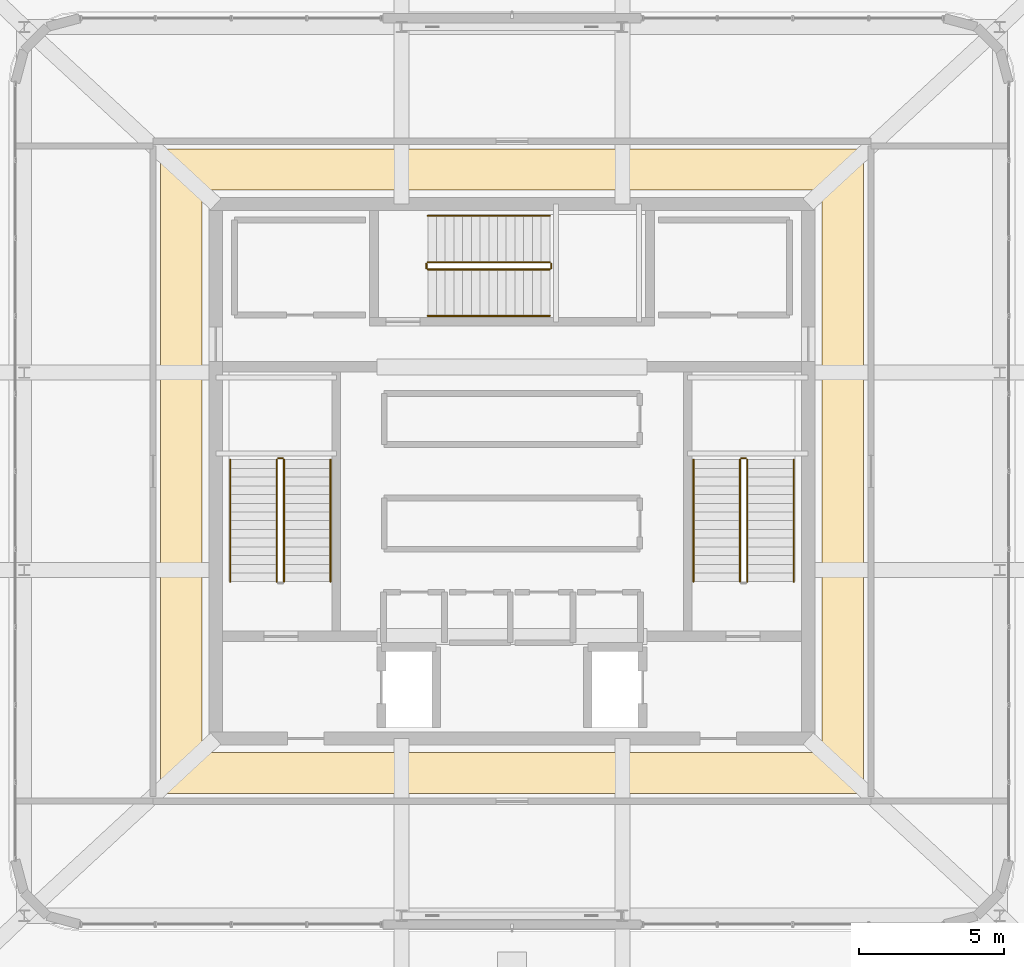
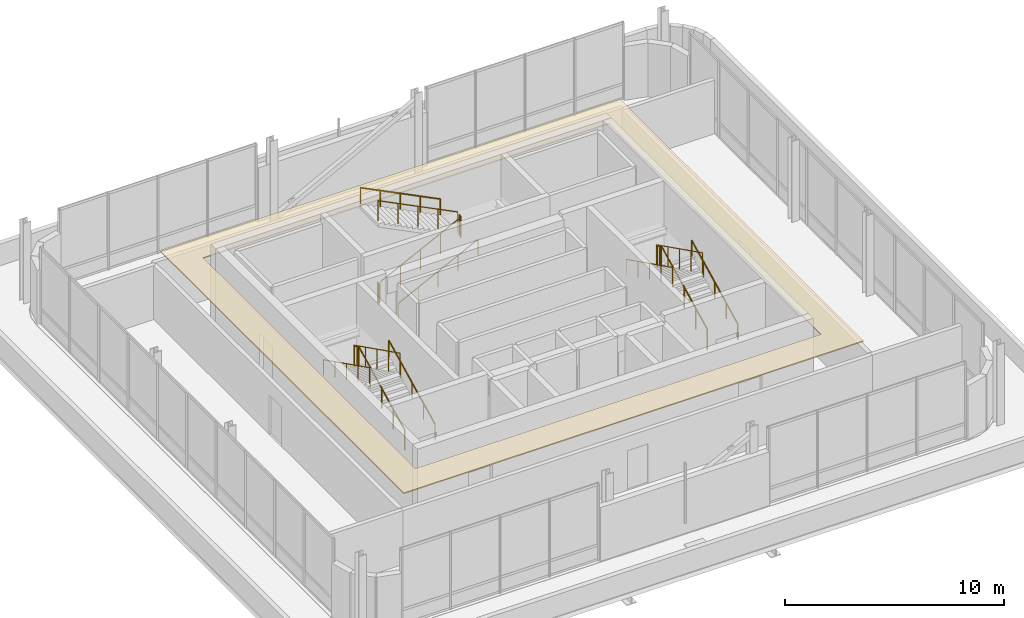
# One storey, part 27 of 28: 16 railings, 1 covering.
"""IFC4 building model written with IfcOpenShell, lengths in metres."""

from ifc_helpers import new_model, si_unit, direction, frame, origin, origin_2d, place, context, subcontext, project, spatial, polyline, circle, outline, extrude, material, layer, layer_set, type_object, element, save


model = new_model("IFC4")

# Units and contexts
model_context = context("Model", 3, precision=1e-05, world=origin(), true_north=direction((0.0, 1.0)))
body_context = subcontext(model_context, "Body", "Model", "MODEL_VIEW")
ifc_project = project(units=[si_unit("LENGTHUNIT", "METRE"), si_unit("AREAUNIT", "SQUARE_METRE"), si_unit("VOLUMEUNIT", "CUBIC_METRE"), si_unit("PLANEANGLEUNIT", "RADIAN"), si_unit("MASSUNIT", "GRAM", prefix="KILO")], contexts=[model_context])

# Site, building, storey
site_placement = place(None, origin())
site = spatial("IfcSite", under=ifc_project, at=site_placement, CompositionType="ELEMENT")
building_placement = place(site_placement, origin())
building = spatial("IfcBuilding", under=site, at=building_placement, Name="Punatoya Terracotta Tower", CompositionType="ELEMENT")
storey_placement = place(building_placement, frame((0.0, 0.0, 352.800048828125)))
storey = spatial("IfcBuildingStorey", under=building, at=storey_placement, Name="L83", CompositionType="ELEMENT", Elevation=352.800048828125)

# Covering
ifc_material_1 = material(Name="Acoustic Mineral Fibre Ceiling")
ifc_layer = layer(ifc_material_1, 0.06005859375)
ifc_layer_set = layer_set([ifc_layer], Name="Acoustic Mineral Fibre Ceiling")
covering_type = type_object("IfcCoveringType", Name="COV-CEIL-60", PredefinedType="CEILING", material=ifc_layer_set)
covering_placement = place(storey_placement, frame((0.0, 0.0, 3.60986328125)))
element("IfcCovering", 1, at=covering_placement, inside=storey, type_object=covering_type, Name="L83 Baradari Crown Plant Ring Corridor Acoustic Ceiling", PredefinedType="CEILING", context=body_context, shape_type="SweptSolid", body=[
    extrude(outline(polyline([(-12.10009765625, 11.10009765625), (-12.10009765625, -11.10009765625), (12.10009765625, -11.10009765625), (12.10009765625, 11.10009765625), (-12.10009765625, 11.10009765625)]), holes=[polyline([(-10.679931640625, 9.679931640625), (10.679931640625, 9.679931640625), (10.679931640625, -9.679931640625), (-10.679931640625, -9.679931640625), (-10.679931640625, 9.679931640625)])]), origin(), (0.0, 0.0, 1.0), 0.06005859375),
])

# Railings
ifc_material_2 = material(Name="Steel S355", Category="steel")
railing_type_1 = type_object("IfcRailingType", Name="RLG-GRD-1150", PredefinedType="GUARDRAIL", material=ifc_material_2)
railing_1_placement = place(storey_placement, frame((-7.85009765625, -3.800048828125, 0.14990234375)))
element("IfcRailing", 2, at=railing_1_placement, inside=storey, type_object=railing_type_1, Name="L83 ST-1 stair guard 1", PredefinedType="GUARDRAIL", context=body_context, shape_type="SweptSolid", body=[
    extrude(circle(Radius=0.02392578125, at=origin_2d()), frame((0.0, 0.0, 1.1259765625), z_axis=(0.0, 0.894416792377, 0.447234392142), x_axis=(-1.0, 0.0, 0.0)), (0.0, 0.0, 1.0), 4.69580078125),
    extrude(circle(Radius=0.02099609375, at=origin_2d()), origin(), (0.0, 0.0, 1.0), 1.101806640625),
    extrude(circle(Radius=0.02099609375, at=origin_2d()), frame((0.0, 1.050048828125, 0.52490234375)), (0.0, 0.0, 1.0), 1.101806640625),
    extrude(circle(Radius=0.02099609375, at=origin_2d()), frame((0.0, 2.10009765625, 1.050048828125)), (0.0, 0.0, 1.0), 1.101806640625),
    extrude(circle(Radius=0.02099609375, at=origin_2d()), frame((0.0, 3.14990234375, 1.5751953125)), (0.0, 0.0, 1.0), 1.101806640625),
    extrude(circle(Radius=0.02099609375, at=origin_2d()), frame((0.0, 4.199951171875, 2.10009765625)), (0.0, 0.0, 1.0), 1.101806640625),
])
railing_2_placement = place(storey_placement, frame((-7.89990234375, 0.449951171875, 2.25)))
element("IfcRailing", 3, at=railing_2_placement, inside=storey, type_object=railing_type_1, Name="L83 ST-1 stair guard 2", PredefinedType="GUARDRAIL", context=body_context, shape_type="SweptSolid", body=[
    extrude(circle(Radius=0.02392578125, at=origin_2d()), frame((0.0, 0.0, 1.1259765625), z_axis=(-1.0, 0.0, 0.0), x_axis=(0.0, -1.0, 0.0)), (0.0, 0.0, 1.0), 0.150146484375),
    extrude(circle(Radius=0.02099609375, at=origin_2d()), origin(), (0.0, 0.0, 1.0), 1.101806640625),
    extrude(circle(Radius=0.02099609375, at=origin_2d()), frame((-0.150146484375, 0.0, 0.0)), (0.0, 0.0, 1.0), 1.101806640625),
])
railing_3_placement = place(storey_placement, frame((-8.10009765625, 0.39990234375, 2.39990234375)))
element("IfcRailing", 4, at=railing_3_placement, inside=storey, type_object=railing_type_1, Name="L83 ST-1 stair guard 3", PredefinedType="GUARDRAIL", context=body_context, shape_type="SweptSolid", body=[
    extrude(circle(Radius=0.02392578125, at=origin_2d()), frame((0.0, 0.0, 1.1259765625), z_axis=(0.0, -0.894416792377, 0.447234392142), x_axis=(1.0, 0.0, 0.0)), (0.0, 0.0, 1.0), 4.69580078125),
    extrude(circle(Radius=0.02099609375, at=origin_2d()), origin(), (0.0, 0.0, 1.0), 1.101806640625),
    extrude(circle(Radius=0.02099609375, at=origin_2d()), frame((0.0, -1.050048828125, 0.52490234375)), (0.0, 0.0, 1.0), 1.101806640625),
    extrude(circle(Radius=0.02099609375, at=origin_2d()), frame((0.0, -2.10009765625, 1.050048828125)), (0.0, 0.0, 1.0), 1.101806640625),
    extrude(circle(Radius=0.02099609375, at=origin_2d()), frame((0.0, -3.14990234375, 1.5751953125)), (0.0, 0.0, 1.0), 1.101806640625),
    extrude(circle(Radius=0.02099609375, at=origin_2d()), frame((0.0, -4.199951171875, 2.10009765625)), (0.0, 0.0, 1.0), 1.101806640625),
])
railing_4_placement = place(storey_placement, frame((8.10009765625, -3.800048828125, 0.14990234375)))
element("IfcRailing", 5, at=railing_4_placement, inside=storey, type_object=railing_type_1, Name="L83 ST-2 stair guard 1", PredefinedType="GUARDRAIL", context=body_context, shape_type="SweptSolid", body=[
    extrude(circle(Radius=0.02392578125, at=origin_2d()), frame((0.0, 0.0, 1.1259765625), z_axis=(0.0, 0.894416792377, 0.447234392142), x_axis=(-1.0, 0.0, 0.0)), (0.0, 0.0, 1.0), 4.69580078125),
    extrude(circle(Radius=0.02099609375, at=origin_2d()), origin(), (0.0, 0.0, 1.0), 1.101806640625),
    extrude(circle(Radius=0.02099609375, at=origin_2d()), frame((0.0, 1.050048828125, 0.52490234375)), (0.0, 0.0, 1.0), 1.101806640625),
    extrude(circle(Radius=0.02099609375, at=origin_2d()), frame((0.0, 2.10009765625, 1.050048828125)), (0.0, 0.0, 1.0), 1.101806640625),
    extrude(circle(Radius=0.02099609375, at=origin_2d()), frame((0.0, 3.14990234375, 1.5751953125)), (0.0, 0.0, 1.0), 1.101806640625),
    extrude(circle(Radius=0.02099609375, at=origin_2d()), frame((0.0, 4.199951171875, 2.10009765625)), (0.0, 0.0, 1.0), 1.101806640625),
])
railing_5_placement = place(storey_placement, frame((8.050048828125, 0.449951171875, 2.25)))
element("IfcRailing", 6, at=railing_5_placement, inside=storey, type_object=railing_type_1, Name="L83 ST-2 stair guard 2", PredefinedType="GUARDRAIL", context=body_context, shape_type="SweptSolid", body=[
    extrude(circle(Radius=0.02392578125, at=origin_2d()), frame((0.0, 0.0, 1.1259765625), z_axis=(-1.0, 0.0, 0.0), x_axis=(0.0, -1.0, 0.0)), (0.0, 0.0, 1.0), 0.150146484375),
    extrude(circle(Radius=0.02099609375, at=origin_2d()), origin(), (0.0, 0.0, 1.0), 1.101806640625),
    extrude(circle(Radius=0.02099609375, at=origin_2d()), frame((-0.150146484375, 0.0, 0.0)), (0.0, 0.0, 1.0), 1.101806640625),
])
railing_6_placement = place(storey_placement, frame((7.85009765625, 0.39990234375, 2.39990234375)))
element("IfcRailing", 7, at=railing_6_placement, inside=storey, type_object=railing_type_1, Name="L83 ST-2 stair guard 3", PredefinedType="GUARDRAIL", context=body_context, shape_type="SweptSolid", body=[
    extrude(circle(Radius=0.02392578125, at=origin_2d()), frame((0.0, 0.0, 1.1259765625), z_axis=(0.0, -0.894416792377, 0.447234392142), x_axis=(1.0, 0.0, 0.0)), (0.0, 0.0, 1.0), 4.69580078125),
    extrude(circle(Radius=0.02099609375, at=origin_2d()), origin(), (0.0, 0.0, 1.0), 1.101806640625),
    extrude(circle(Radius=0.02099609375, at=origin_2d()), frame((0.0, -1.050048828125, 0.52490234375)), (0.0, 0.0, 1.0), 1.101806640625),
    extrude(circle(Radius=0.02099609375, at=origin_2d()), frame((0.0, -2.10009765625, 1.050048828125)), (0.0, 0.0, 1.0), 1.101806640625),
    extrude(circle(Radius=0.02099609375, at=origin_2d()), frame((0.0, -3.14990234375, 1.5751953125)), (0.0, 0.0, 1.0), 1.101806640625),
    extrude(circle(Radius=0.02099609375, at=origin_2d()), frame((0.0, -4.199951171875, 2.10009765625)), (0.0, 0.0, 1.0), 1.101806640625),
])
railing_7_placement = place(storey_placement, frame((-2.89990234375, 6.949951171875, 0.14990234375)))
element("IfcRailing", 8, at=railing_7_placement, inside=storey, type_object=railing_type_1, Name="L83 ST-3 stair guard 1", PredefinedType="GUARDRAIL", context=body_context, shape_type="SweptSolid", body=[
    extrude(circle(Radius=0.02392578125, at=origin_2d()), frame((0.0, 0.0, 1.1259765625), z_axis=(0.894416792377, 0.0, 0.447234392142), x_axis=(0.0, 1.0, 0.0)), (0.0, 0.0, 1.0), 4.69580078125),
    extrude(circle(Radius=0.02099609375, at=origin_2d()), origin(), (0.0, 0.0, 1.0), 1.101806640625),
    extrude(circle(Radius=0.02099609375, at=origin_2d()), frame((1.050048828125, 0.0, 0.52490234375)), (0.0, 0.0, 1.0), 1.101806640625),
    extrude(circle(Radius=0.02099609375, at=origin_2d()), frame((2.10009765625, 0.0, 1.050048828125)), (0.0, 0.0, 1.0), 1.101806640625),
    extrude(circle(Radius=0.02099609375, at=origin_2d()), frame((3.14990234375, 0.0, 1.5751953125)), (0.0, 0.0, 1.0), 1.101806640625),
    extrude(circle(Radius=0.02099609375, at=origin_2d()), frame((4.199951171875, 0.0, 2.10009765625)), (0.0, 0.0, 1.0), 1.101806640625),
])
railing_8_placement = place(storey_placement, frame((1.35009765625, 7.0, 2.25)))
element("IfcRailing", 9, at=railing_8_placement, inside=storey, type_object=railing_type_1, Name="L83 ST-3 stair guard 2", PredefinedType="GUARDRAIL", context=body_context, shape_type="SweptSolid", body=[
    extrude(circle(Radius=0.02392578125, at=origin_2d()), frame((0.0, 0.0, 1.1259765625), z_axis=(0.0, 1.0, 0.0), x_axis=(-1.0, 0.0, 0.0)), (0.0, 0.0, 1.0), 0.14990234375),
    extrude(circle(Radius=0.02099609375, at=origin_2d()), origin(), (0.0, 0.0, 1.0), 1.101806640625),
    extrude(circle(Radius=0.02099609375, at=origin_2d()), frame((0.0, 0.14990234375, 0.0)), (0.0, 0.0, 1.0), 1.101806640625),
])
railing_9_placement = place(storey_placement, frame((1.300048828125, 7.199951171875, 2.39990234375)))
element("IfcRailing", 10, at=railing_9_placement, inside=storey, type_object=railing_type_1, Name="L83 ST-3 stair guard 3", PredefinedType="GUARDRAIL", context=body_context, shape_type="SweptSolid", body=[
    extrude(circle(Radius=0.02392578125, at=origin_2d()), frame((0.0, 0.0, 1.1259765625), z_axis=(-0.894416792377, 0.0, 0.447234392142), x_axis=(0.0, -1.0, 0.0)), (0.0, 0.0, 1.0), 4.69580078125),
    extrude(circle(Radius=0.02099609375, at=origin_2d()), origin(), (0.0, 0.0, 1.0), 1.101806640625),
    extrude(circle(Radius=0.02099609375, at=origin_2d()), frame((-1.050048828125, 0.0, 0.52490234375)), (0.0, 0.0, 1.0), 1.101806640625),
    extrude(circle(Radius=0.02099609375, at=origin_2d()), frame((-2.10009765625, 0.0, 1.050048828125)), (0.0, 0.0, 1.0), 1.101806640625),
    extrude(circle(Radius=0.02099609375, at=origin_2d()), frame((-3.14990234375, 0.0, 1.5751953125)), (0.0, 0.0, 1.0), 1.101806640625),
    extrude(circle(Radius=0.02099609375, at=origin_2d()), frame((-4.199951171875, 0.0, 2.10009765625)), (0.0, 0.0, 1.0), 1.101806640625),
])
railing_10_placement = place(storey_placement, frame((-2.949951171875, 7.0, 0.0)))
element("IfcRailing", 11, at=railing_10_placement, inside=storey, type_object=railing_type_1, Name="L83 ST-3 stair guard 4", PredefinedType="GUARDRAIL", context=body_context, shape_type="SweptSolid", body=[
    extrude(circle(Radius=0.02392578125, at=origin_2d()), frame((0.0, 0.0, 1.1259765625), z_axis=(0.0, 1.0, 0.0), x_axis=(-1.0, 0.0, 0.0)), (0.0, 0.0, 1.0), 0.14990234375),
    extrude(circle(Radius=0.02099609375, at=origin_2d()), origin(), (0.0, 0.0, 1.0), 1.101806640625),
    extrude(circle(Radius=0.02099609375, at=origin_2d()), frame((0.0, 0.14990234375, 0.0)), (0.0, 0.0, 1.0), 1.101806640625),
])
railing_type_2 = type_object("IfcRailingType", Name="RLG-HND-900", PredefinedType="HANDRAIL", material=ifc_material_2)
railing_11_placement = place(storey_placement, frame((-6.25, -3.800048828125, 0.14990234375)))
element("IfcRailing", 12, at=railing_11_placement, inside=storey, type_object=railing_type_2, Name="L83 ST-1 stair handrail 1", PredefinedType="HANDRAIL", context=body_context, shape_type="SweptSolid", body=[
    extrude(circle(Radius=0.02392578125, at=origin_2d()), frame((0.0, 0.0, 0.8759765625), z_axis=(0.0, 0.894416792377, 0.447234392142), x_axis=(-1.0, 0.0, 0.0)), (0.0, 0.0, 1.0), 4.69580078125),
    extrude(circle(Radius=0.02099609375, at=origin_2d()), origin(), (0.0, 0.0, 1.0), 0.851806640625),
    extrude(circle(Radius=0.02099609375, at=origin_2d()), frame((0.0, 1.050048828125, 0.52490234375)), (0.0, 0.0, 1.0), 0.851806640625),
    extrude(circle(Radius=0.02099609375, at=origin_2d()), frame((0.0, 2.10009765625, 1.050048828125)), (0.0, 0.0, 1.0), 0.851806640625),
    extrude(circle(Radius=0.02099609375, at=origin_2d()), frame((0.0, 3.14990234375, 1.5751953125)), (0.0, 0.0, 1.0), 0.851806640625),
    extrude(circle(Radius=0.02099609375, at=origin_2d()), frame((0.0, 4.199951171875, 2.10009765625)), (0.0, 0.0, 1.0), 0.851806640625),
])
railing_12_placement = place(storey_placement, frame((-9.699951171875, 0.39990234375, 2.39990234375)))
element("IfcRailing", 13, at=railing_12_placement, inside=storey, type_object=railing_type_2, Name="L83 ST-1 stair handrail 2", PredefinedType="HANDRAIL", context=body_context, shape_type="SweptSolid", body=[
    extrude(circle(Radius=0.02392578125, at=origin_2d()), frame((0.0, 0.0, 0.8759765625), z_axis=(0.0, -0.894416792377, 0.447234392142), x_axis=(1.0, 0.0, 0.0)), (0.0, 0.0, 1.0), 4.69580078125),
    extrude(circle(Radius=0.02099609375, at=origin_2d()), origin(), (0.0, 0.0, 1.0), 0.851806640625),
    extrude(circle(Radius=0.02099609375, at=origin_2d()), frame((0.0, -1.050048828125, 0.52490234375)), (0.0, 0.0, 1.0), 0.851806640625),
    extrude(circle(Radius=0.02099609375, at=origin_2d()), frame((0.0, -2.10009765625, 1.050048828125)), (0.0, 0.0, 1.0), 0.851806640625),
    extrude(circle(Radius=0.02099609375, at=origin_2d()), frame((0.0, -3.14990234375, 1.5751953125)), (0.0, 0.0, 1.0), 0.851806640625),
    extrude(circle(Radius=0.02099609375, at=origin_2d()), frame((0.0, -4.199951171875, 2.10009765625)), (0.0, 0.0, 1.0), 0.851806640625),
])
railing_13_placement = place(storey_placement, frame((9.699951171875, -3.800048828125, 0.14990234375)))
element("IfcRailing", 14, at=railing_13_placement, inside=storey, type_object=railing_type_2, Name="L83 ST-2 stair handrail 1", PredefinedType="HANDRAIL", context=body_context, shape_type="SweptSolid", body=[
    extrude(circle(Radius=0.02392578125, at=origin_2d()), frame((0.0, 0.0, 0.8759765625), z_axis=(0.0, 0.894416792377, 0.447234392142), x_axis=(-1.0, 0.0, 0.0)), (0.0, 0.0, 1.0), 4.69580078125),
    extrude(circle(Radius=0.02099609375, at=origin_2d()), origin(), (0.0, 0.0, 1.0), 0.851806640625),
    extrude(circle(Radius=0.02099609375, at=origin_2d()), frame((0.0, 1.050048828125, 0.52490234375)), (0.0, 0.0, 1.0), 0.851806640625),
    extrude(circle(Radius=0.02099609375, at=origin_2d()), frame((0.0, 2.10009765625, 1.050048828125)), (0.0, 0.0, 1.0), 0.851806640625),
    extrude(circle(Radius=0.02099609375, at=origin_2d()), frame((0.0, 3.14990234375, 1.5751953125)), (0.0, 0.0, 1.0), 0.851806640625),
    extrude(circle(Radius=0.02099609375, at=origin_2d()), frame((0.0, 4.199951171875, 2.10009765625)), (0.0, 0.0, 1.0), 0.851806640625),
])
railing_14_placement = place(storey_placement, frame((6.25, 0.39990234375, 2.39990234375)))
element("IfcRailing", 15, at=railing_14_placement, inside=storey, type_object=railing_type_2, Name="L83 ST-2 stair handrail 2", PredefinedType="HANDRAIL", context=body_context, shape_type="SweptSolid", body=[
    extrude(circle(Radius=0.02392578125, at=origin_2d()), frame((0.0, 0.0, 0.8759765625), z_axis=(0.0, -0.894416792377, 0.447234392142), x_axis=(1.0, 0.0, 0.0)), (0.0, 0.0, 1.0), 4.69580078125),
    extrude(circle(Radius=0.02099609375, at=origin_2d()), origin(), (0.0, 0.0, 1.0), 0.851806640625),
    extrude(circle(Radius=0.02099609375, at=origin_2d()), frame((0.0, -1.050048828125, 0.52490234375)), (0.0, 0.0, 1.0), 0.851806640625),
    extrude(circle(Radius=0.02099609375, at=origin_2d()), frame((0.0, -2.10009765625, 1.050048828125)), (0.0, 0.0, 1.0), 0.851806640625),
    extrude(circle(Radius=0.02099609375, at=origin_2d()), frame((0.0, -3.14990234375, 1.5751953125)), (0.0, 0.0, 1.0), 0.851806640625),
    extrude(circle(Radius=0.02099609375, at=origin_2d()), frame((0.0, -4.199951171875, 2.10009765625)), (0.0, 0.0, 1.0), 0.851806640625),
])
railing_15_placement = place(storey_placement, frame((-2.89990234375, 5.35009765625, 0.14990234375)))
element("IfcRailing", 16, at=railing_15_placement, inside=storey, type_object=railing_type_2, Name="L83 ST-3 stair handrail 1", PredefinedType="HANDRAIL", context=body_context, shape_type="SweptSolid", body=[
    extrude(circle(Radius=0.02392578125, at=origin_2d()), frame((0.0, 0.0, 0.8759765625), z_axis=(0.894416792377, 0.0, 0.447234392142), x_axis=(0.0, 1.0, 0.0)), (0.0, 0.0, 1.0), 4.69580078125),
    extrude(circle(Radius=0.02099609375, at=origin_2d()), origin(), (0.0, 0.0, 1.0), 0.851806640625),
    extrude(circle(Radius=0.02099609375, at=origin_2d()), frame((1.050048828125, 0.0, 0.52490234375)), (0.0, 0.0, 1.0), 0.851806640625),
    extrude(circle(Radius=0.02099609375, at=origin_2d()), frame((2.10009765625, 0.0, 1.050048828125)), (0.0, 0.0, 1.0), 0.851806640625),
    extrude(circle(Radius=0.02099609375, at=origin_2d()), frame((3.14990234375, 0.0, 1.5751953125)), (0.0, 0.0, 1.0), 0.851806640625),
    extrude(circle(Radius=0.02099609375, at=origin_2d()), frame((4.199951171875, 0.0, 2.10009765625)), (0.0, 0.0, 1.0), 0.851806640625),
])
railing_16_placement = place(storey_placement, frame((1.300048828125, 8.800048828125, 2.39990234375)))
element("IfcRailing", 17, at=railing_16_placement, inside=storey, type_object=railing_type_2, Name="L83 ST-3 stair handrail 2", PredefinedType="HANDRAIL", context=body_context, shape_type="SweptSolid", body=[
    extrude(circle(Radius=0.02392578125, at=origin_2d()), frame((0.0, 0.0, 0.8759765625), z_axis=(-0.894416792377, 0.0, 0.447234392142), x_axis=(0.0, -1.0, 0.0)), (0.0, 0.0, 1.0), 4.69580078125),
    extrude(circle(Radius=0.02099609375, at=origin_2d()), origin(), (0.0, 0.0, 1.0), 0.851806640625),
    extrude(circle(Radius=0.02099609375, at=origin_2d()), frame((-1.050048828125, 0.0, 0.52490234375)), (0.0, 0.0, 1.0), 0.851806640625),
    extrude(circle(Radius=0.02099609375, at=origin_2d()), frame((-2.10009765625, 0.0, 1.050048828125)), (0.0, 0.0, 1.0), 0.851806640625),
    extrude(circle(Radius=0.02099609375, at=origin_2d()), frame((-3.14990234375, 0.0, 1.5751953125)), (0.0, 0.0, 1.0), 0.851806640625),
    extrude(circle(Radius=0.02099609375, at=origin_2d()), frame((-4.199951171875, 0.0, 2.10009765625)), (0.0, 0.0, 1.0), 0.851806640625),
])

save(model, "model.ifc")
